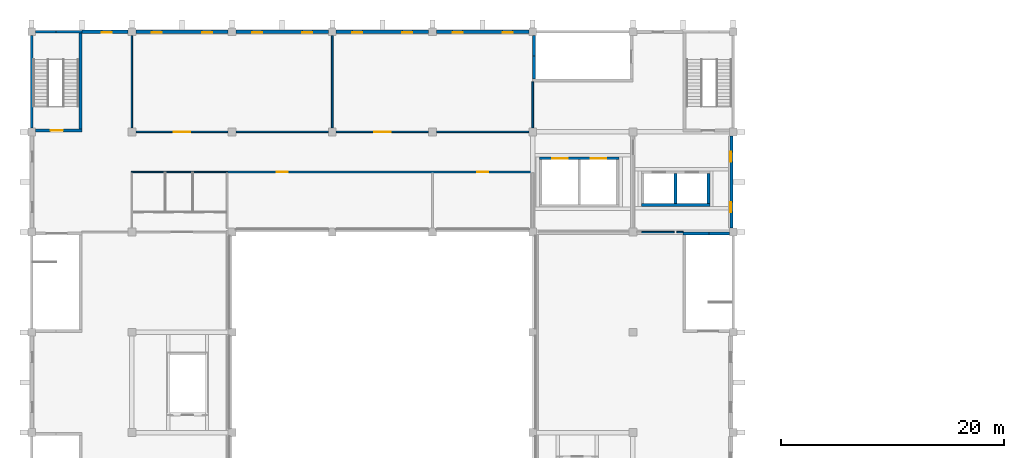
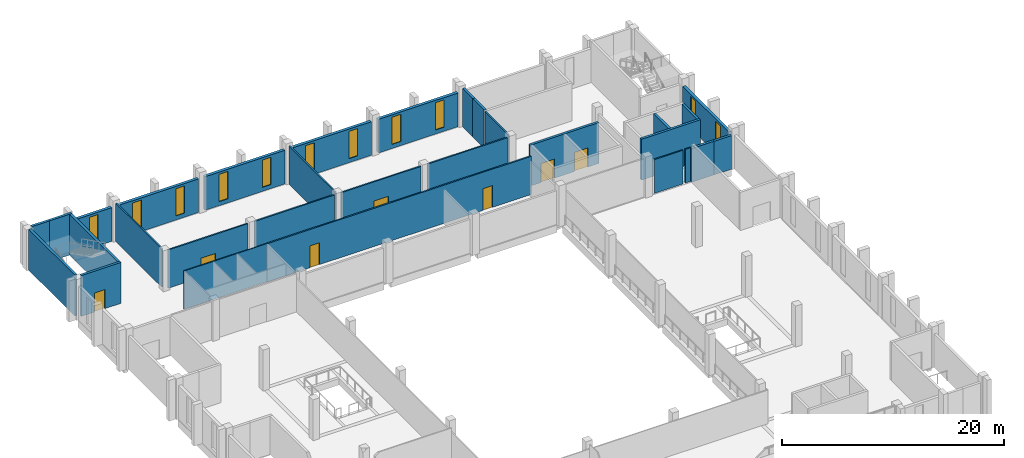
# One storey, part 26 of 40: 30 walls, 11 windows, 7 doors, 18 openings.
"""IFC4 building model written with IfcOpenShell, lengths in metres."""

from ifc_helpers import new_model, si_unit, direction, frame, frame_2d, origin, place, context, subcontext, project, spatial, rectangle, extrude, material, layer, layer_set, type_object, element, fill, save


model = new_model("IFC4")

# Units and contexts
model_context = context("Model", 3, precision=1e-05, world=origin(), true_north=direction((0.0, 1.0)))
body_context = subcontext(model_context, "Body", "Model", "MODEL_VIEW")
ifc_project = project(units=[si_unit("LENGTHUNIT", "METRE"), si_unit("AREAUNIT", "SQUARE_METRE"), si_unit("VOLUMEUNIT", "CUBIC_METRE"), si_unit("PLANEANGLEUNIT", "RADIAN"), si_unit("MASSUNIT", "GRAM", prefix="KILO")], contexts=[model_context])

# Site, building, storey
site_placement = place(None, origin())
site = spatial("IfcSite", under=ifc_project, at=site_placement, CompositionType="ELEMENT")
building_placement = place(site_placement, origin())
building = spatial("IfcBuilding", under=site, at=building_placement, Name="Guidao Yard Department Store", CompositionType="ELEMENT")
storey_placement = place(building_placement, frame((0.0, 0.0, 24.0)))
storey = spatial("IfcBuildingStorey", under=building, at=storey_placement, Name="L05", CompositionType="ELEMENT", Elevation=24.0)

# Wall, opening, window
ifc_material_1 = material(Name="Concrete C35", Category="concrete")
ifc_layer_1 = layer(ifc_material_1, 0.300048828125)
ifc_layer_set_1 = layer_set([ifc_layer_1], Name="Hall facade wall 300 C35")
wall_type_1 = type_object("IfcWallType", Name="Hall facade wall 300 C35", PredefinedType="SOLIDWALL", material=ifc_layer_set_1)
wall_1_placement = place(storey_placement, frame((4.5, 108.0, 0.0), z_axis=(0.0, 0.0, 1.0), x_axis=(1.0, 0.0, 0.0)))
wall_1 = element("IfcWall", 1, at=wall_1_placement, inside=storey, type_object=wall_type_1, Name="Hall facade wall", PredefinedType="SOLIDWALL", context=body_context, shape_type="SweptSolid", body=[
    extrude(rectangle(XDim=4.14990234375, YDim=0.300048828125, at=frame_2d((2.074951171875, 0.0))), origin(), (0.0, 0.0, 1.0), 3.699951171875),
])
opening_1_placement = place(wall_1_placement, frame((1.800048828125, 0.0, 0.449951171875)))
opening_1 = element("IfcOpeningElement", 2, at=opening_1_placement, cuts=wall_1, Name="Opening WN-L05-E09", PredefinedType="OPENING", context=body_context, shape_type="SweptSolid", body=[
    extrude(rectangle(XDim=0.89990234375, YDim=3.0, at=frame_2d((0.449951171875, 1.5))), frame((0.0, 0.159912109375, 0.0), z_axis=(0.0, -1.0, 0.0), x_axis=(1.0, 0.0, 0.0)), (0.0, 0.0, 1.0), 0.320068359375),
])
ifc_material_2 = material(Name="Laminated glass in aluminium frame", Category="aluminium")
window_type = type_object("IfcWindowType", Name="Slot window SL1 900 x 3000 fixed", PartitioningType="SINGLE_PANEL", PredefinedType="WINDOW", material=ifc_material_2)
window_1_placement = place(opening_1_placement, origin())
window_1 = element("IfcWindow", 3, at=window_1_placement, inside=storey, type_object=window_type, Name="Slot window", OverallHeight=3.0, OverallWidth=0.89990234375, PartitioningType="SINGLE_PANEL", PredefinedType="WINDOW", context=body_context, shape_type="SweptSolid", body=[
    extrude(rectangle(XDim=0.89990234375, YDim=3.0, at=frame_2d((0.449951171875, 1.5))), frame((0.0, -0.030029296875, 0.0), z_axis=(0.0, -1.0, 0.0), x_axis=(1.0, 0.0, 0.0)), (0.0, 0.0, 1.0), 0.06005859375),
])
fill(opening_1, window_1)

# Wall, openings, windows
wall_2_placement = place(storey_placement, frame((9.35009765625, 108.0, 0.0), z_axis=(0.0, 0.0, 1.0), x_axis=(1.0, 0.0, 0.0)))
wall_2 = element("IfcWall", 4, at=wall_2_placement, inside=storey, type_object=wall_type_1, Name="Hall facade wall", PredefinedType="SOLIDWALL", context=body_context, shape_type="SweptSolid", body=[
    extrude(rectangle(XDim=8.2998046875, YDim=0.300048828125, at=frame_2d((4.14990234375, 0.0))), origin(), (0.0, 0.0, 1.0), 3.699951171875),
])
opening_2_placement = place(wall_2_placement, frame((1.449951171875, 0.0, 0.449951171875)))
opening_2 = element("IfcOpeningElement", 5, at=opening_2_placement, cuts=wall_2, Name="Opening WN-L05-E10", PredefinedType="OPENING", context=body_context, shape_type="SweptSolid", body=[
    extrude(rectangle(XDim=0.89990234375, YDim=3.0, at=frame_2d((0.449951171875, 1.5))), frame((0.0, 0.159912109375, 0.0), z_axis=(0.0, -1.0, 0.0), x_axis=(1.0, 0.0, 0.0)), (0.0, 0.0, 1.0), 0.320068359375),
])
opening_3_placement = place(wall_2_placement, frame((5.949951171875, 0.0, 0.449951171875)))
opening_3 = element("IfcOpeningElement", 6, at=opening_3_placement, cuts=wall_2, Name="Opening WN-L05-E11", PredefinedType="OPENING", context=body_context, shape_type="SweptSolid", body=[
    extrude(rectangle(XDim=0.89990234375, YDim=3.0, at=frame_2d((0.449951171875, 1.5))), frame((0.0, 0.159912109375, 0.0), z_axis=(0.0, -1.0, 0.0), x_axis=(1.0, 0.0, 0.0)), (0.0, 0.0, 1.0), 0.320068359375),
])
window_2_placement = place(opening_2_placement, origin())
window_2 = element("IfcWindow", 7, at=window_2_placement, inside=storey, type_object=window_type, Name="Slot window", OverallHeight=3.0, OverallWidth=0.89990234375, PartitioningType="SINGLE_PANEL", PredefinedType="WINDOW", context=body_context, shape_type="SweptSolid", body=[
    extrude(rectangle(XDim=0.89990234375, YDim=3.0, at=frame_2d((0.449951171875, 1.5))), frame((0.0, -0.030029296875, 0.0), z_axis=(0.0, -1.0, 0.0), x_axis=(1.0, 0.0, 0.0)), (0.0, 0.0, 1.0), 0.06005859375),
])
fill(opening_2, window_2)
window_3_placement = place(opening_3_placement, origin())
window_3 = element("IfcWindow", 8, at=window_3_placement, inside=storey, type_object=window_type, Name="Slot window", OverallHeight=3.0, OverallWidth=0.89990234375, PartitioningType="SINGLE_PANEL", PredefinedType="WINDOW", context=body_context, shape_type="SweptSolid", body=[
    extrude(rectangle(XDim=0.89990234375, YDim=3.0, at=frame_2d((0.449951171875, 1.5))), frame((0.0, -0.030029296875, 0.0), z_axis=(0.0, -1.0, 0.0), x_axis=(1.0, 0.0, 0.0)), (0.0, 0.0, 1.0), 0.06005859375),
])
fill(opening_3, window_3)

wall_3_placement = place(storey_placement, frame((18.35009765625, 108.0, 0.0), z_axis=(0.0, 0.0, 1.0), x_axis=(1.0, 0.0, 0.0)))
wall_3 = element("IfcWall", 9, at=wall_3_placement, inside=storey, type_object=wall_type_1, Name="Hall facade wall", PredefinedType="SOLIDWALL", context=body_context, shape_type="SweptSolid", body=[
    extrude(rectangle(XDim=8.2998046875, YDim=0.300048828125, at=frame_2d((4.14990234375, 0.0))), origin(), (0.0, 0.0, 1.0), 3.699951171875),
])
opening_4_placement = place(wall_3_placement, frame((1.449951171875, 0.0, 0.449951171875)))
opening_4 = element("IfcOpeningElement", 10, at=opening_4_placement, cuts=wall_3, Name="Opening WN-L05-E12", PredefinedType="OPENING", context=body_context, shape_type="SweptSolid", body=[
    extrude(rectangle(XDim=0.89990234375, YDim=3.0, at=frame_2d((0.449951171875, 1.5))), frame((0.0, 0.159912109375, 0.0), z_axis=(0.0, -1.0, 0.0), x_axis=(1.0, 0.0, 0.0)), (0.0, 0.0, 1.0), 0.320068359375),
])
opening_5_placement = place(wall_3_placement, frame((5.949951171875, 0.0, 0.449951171875)))
opening_5 = element("IfcOpeningElement", 11, at=opening_5_placement, cuts=wall_3, Name="Opening WN-L05-E13", PredefinedType="OPENING", context=body_context, shape_type="SweptSolid", body=[
    extrude(rectangle(XDim=0.89990234375, YDim=3.0, at=frame_2d((0.449951171875, 1.5))), frame((0.0, 0.159912109375, 0.0), z_axis=(0.0, -1.0, 0.0), x_axis=(1.0, 0.0, 0.0)), (0.0, 0.0, 1.0), 0.320068359375),
])
window_4_placement = place(opening_4_placement, origin())
window_4 = element("IfcWindow", 12, at=window_4_placement, inside=storey, type_object=window_type, Name="Slot window", OverallHeight=3.0, OverallWidth=0.89990234375, PartitioningType="SINGLE_PANEL", PredefinedType="WINDOW", context=body_context, shape_type="SweptSolid", body=[
    extrude(rectangle(XDim=0.89990234375, YDim=3.0, at=frame_2d((0.449951171875, 1.5))), frame((0.0, -0.030029296875, 0.0), z_axis=(0.0, -1.0, 0.0), x_axis=(1.0, 0.0, 0.0)), (0.0, 0.0, 1.0), 0.06005859375),
])
fill(opening_4, window_4)
window_5_placement = place(opening_5_placement, origin())
window_5 = element("IfcWindow", 13, at=window_5_placement, inside=storey, type_object=window_type, Name="Slot window", OverallHeight=3.0, OverallWidth=0.89990234375, PartitioningType="SINGLE_PANEL", PredefinedType="WINDOW", context=body_context, shape_type="SweptSolid", body=[
    extrude(rectangle(XDim=0.89990234375, YDim=3.0, at=frame_2d((0.449951171875, 1.5))), frame((0.0, -0.030029296875, 0.0), z_axis=(0.0, -1.0, 0.0), x_axis=(1.0, 0.0, 0.0)), (0.0, 0.0, 1.0), 0.06005859375),
])
fill(opening_5, window_5)

wall_4_placement = place(storey_placement, frame((27.35009765625, 108.0, 0.0), z_axis=(0.0, 0.0, 1.0), x_axis=(1.0, 0.0, 0.0)))
wall_4 = element("IfcWall", 14, at=wall_4_placement, inside=storey, type_object=wall_type_1, Name="Hall facade wall", PredefinedType="SOLIDWALL", context=body_context, shape_type="SweptSolid", body=[
    extrude(rectangle(XDim=8.2998046875, YDim=0.300048828125, at=frame_2d((4.14990234375, 0.0))), origin(), (0.0, 0.0, 1.0), 3.699951171875),
])
opening_6_placement = place(wall_4_placement, frame((1.449951171875, 0.0, 0.449951171875)))
opening_6 = element("IfcOpeningElement", 15, at=opening_6_placement, cuts=wall_4, Name="Opening WN-L05-E14", PredefinedType="OPENING", context=body_context, shape_type="SweptSolid", body=[
    extrude(rectangle(XDim=0.89990234375, YDim=3.0, at=frame_2d((0.449951171875, 1.5))), frame((0.0, 0.159912109375, 0.0), z_axis=(0.0, -1.0, 0.0), x_axis=(1.0, 0.0, 0.0)), (0.0, 0.0, 1.0), 0.320068359375),
])
opening_7_placement = place(wall_4_placement, frame((5.949951171875, 0.0, 0.449951171875)))
opening_7 = element("IfcOpeningElement", 16, at=opening_7_placement, cuts=wall_4, Name="Opening WN-L05-E15", PredefinedType="OPENING", context=body_context, shape_type="SweptSolid", body=[
    extrude(rectangle(XDim=0.89990234375, YDim=3.0, at=frame_2d((0.449951171875, 1.5))), frame((0.0, 0.159912109375, 0.0), z_axis=(0.0, -1.0, 0.0), x_axis=(1.0, 0.0, 0.0)), (0.0, 0.0, 1.0), 0.320068359375),
])
window_6_placement = place(opening_6_placement, origin())
window_6 = element("IfcWindow", 17, at=window_6_placement, inside=storey, type_object=window_type, Name="Slot window", OverallHeight=3.0, OverallWidth=0.89990234375, PartitioningType="SINGLE_PANEL", PredefinedType="WINDOW", context=body_context, shape_type="SweptSolid", body=[
    extrude(rectangle(XDim=0.89990234375, YDim=3.0, at=frame_2d((0.449951171875, 1.5))), frame((0.0, -0.030029296875, 0.0), z_axis=(0.0, -1.0, 0.0), x_axis=(1.0, 0.0, 0.0)), (0.0, 0.0, 1.0), 0.06005859375),
])
fill(opening_6, window_6)
window_7_placement = place(opening_7_placement, origin())
window_7 = element("IfcWindow", 18, at=window_7_placement, inside=storey, type_object=window_type, Name="Slot window", OverallHeight=3.0, OverallWidth=0.89990234375, PartitioningType="SINGLE_PANEL", PredefinedType="WINDOW", context=body_context, shape_type="SweptSolid", body=[
    extrude(rectangle(XDim=0.89990234375, YDim=3.0, at=frame_2d((0.449951171875, 1.5))), frame((0.0, -0.030029296875, 0.0), z_axis=(0.0, -1.0, 0.0), x_axis=(1.0, 0.0, 0.0)), (0.0, 0.0, 1.0), 0.06005859375),
])
fill(opening_7, window_7)

wall_5_placement = place(storey_placement, frame((36.35009765625, 108.0, 0.0), z_axis=(0.0, 0.0, 1.0), x_axis=(1.0, 0.0, 0.0)))
wall_5 = element("IfcWall", 19, at=wall_5_placement, inside=storey, type_object=wall_type_1, Name="Hall facade wall", PredefinedType="SOLIDWALL", context=body_context, shape_type="SweptSolid", body=[
    extrude(rectangle(XDim=8.2998046875, YDim=0.300048828125, at=frame_2d((4.14990234375, 0.0))), origin(), (0.0, 0.0, 1.0), 3.699951171875),
])
opening_8_placement = place(wall_5_placement, frame((1.449951171875, 0.0, 0.449951171875)))
opening_8 = element("IfcOpeningElement", 20, at=opening_8_placement, cuts=wall_5, Name="Opening WN-L05-E16", PredefinedType="OPENING", context=body_context, shape_type="SweptSolid", body=[
    extrude(rectangle(XDim=0.89990234375, YDim=3.0, at=frame_2d((0.449951171875, 1.5))), frame((0.0, 0.159912109375, 0.0), z_axis=(0.0, -1.0, 0.0), x_axis=(1.0, 0.0, 0.0)), (0.0, 0.0, 1.0), 0.320068359375),
])
opening_9_placement = place(wall_5_placement, frame((5.949951171875, 0.0, 0.449951171875)))
opening_9 = element("IfcOpeningElement", 21, at=opening_9_placement, cuts=wall_5, Name="Opening WN-L05-E17", PredefinedType="OPENING", context=body_context, shape_type="SweptSolid", body=[
    extrude(rectangle(XDim=0.89990234375, YDim=3.0, at=frame_2d((0.449951171875, 1.5))), frame((0.0, 0.159912109375, 0.0), z_axis=(0.0, -1.0, 0.0), x_axis=(1.0, 0.0, 0.0)), (0.0, 0.0, 1.0), 0.320068359375),
])
window_8_placement = place(opening_8_placement, origin())
window_8 = element("IfcWindow", 22, at=window_8_placement, inside=storey, type_object=window_type, Name="Slot window", OverallHeight=3.0, OverallWidth=0.89990234375, PartitioningType="SINGLE_PANEL", PredefinedType="WINDOW", context=body_context, shape_type="SweptSolid", body=[
    extrude(rectangle(XDim=0.89990234375, YDim=3.0, at=frame_2d((0.449951171875, 1.5))), frame((0.0, -0.030029296875, 0.0), z_axis=(0.0, -1.0, 0.0), x_axis=(1.0, 0.0, 0.0)), (0.0, 0.0, 1.0), 0.06005859375),
])
fill(opening_8, window_8)
window_9_placement = place(opening_9_placement, origin())
window_9 = element("IfcWindow", 23, at=window_9_placement, inside=storey, type_object=window_type, Name="Slot window", OverallHeight=3.0, OverallWidth=0.89990234375, PartitioningType="SINGLE_PANEL", PredefinedType="WINDOW", context=body_context, shape_type="SweptSolid", body=[
    extrude(rectangle(XDim=0.89990234375, YDim=3.0, at=frame_2d((0.449951171875, 1.5))), frame((0.0, -0.030029296875, 0.0), z_axis=(0.0, -1.0, 0.0), x_axis=(1.0, 0.0, 0.0)), (0.0, 0.0, 1.0), 0.06005859375),
])
fill(opening_9, window_9)

wall_6_placement = place(storey_placement, frame((62.85009765625, 98.64990234375, 0.0), z_axis=(0.0, 0.0, 1.0), x_axis=(0.0, -1.0, 0.0)))
wall_6 = element("IfcWall", 24, at=wall_6_placement, inside=storey, type_object=wall_type_1, Name="Hall facade wall", PredefinedType="SOLIDWALL", context=body_context, shape_type="SweptSolid", body=[
    extrude(rectangle(XDim=8.2998046875, YDim=0.300048828125, at=frame_2d((4.14990234375, 0.0))), origin(), (0.0, 0.0, 1.0), 3.699951171875),
])
opening_10_placement = place(wall_6_placement, frame((5.949951171875, 0.0, 0.449951171875)))
opening_10 = element("IfcOpeningElement", 25, at=opening_10_placement, cuts=wall_6, Name="Opening WN-L05-E25", PredefinedType="OPENING", context=body_context, shape_type="SweptSolid", body=[
    extrude(rectangle(XDim=0.89990234375, YDim=3.0, at=frame_2d((0.449951171875, 1.5))), frame((0.0, 0.159912109375, 0.0), z_axis=(0.0, -1.0, 0.0), x_axis=(1.0, 0.0, 0.0)), (0.0, 0.0, 1.0), 0.320068359375),
])
opening_11_placement = place(wall_6_placement, frame((1.449951171875, 0.0, 0.449951171875)))
opening_11 = element("IfcOpeningElement", 26, at=opening_11_placement, cuts=wall_6, Name="Opening WN-L05-E26", PredefinedType="OPENING", context=body_context, shape_type="SweptSolid", body=[
    extrude(rectangle(XDim=0.89990234375, YDim=3.0, at=frame_2d((0.449951171875, 1.5))), frame((0.0, 0.159912109375, 0.0), z_axis=(0.0, -1.0, 0.0), x_axis=(1.0, 0.0, 0.0)), (0.0, 0.0, 1.0), 0.320068359375),
])
window_10_placement = place(opening_10_placement, origin())
window_10 = element("IfcWindow", 27, at=window_10_placement, inside=storey, type_object=window_type, Name="Slot window", OverallHeight=3.0, OverallWidth=0.89990234375, PartitioningType="SINGLE_PANEL", PredefinedType="WINDOW", context=body_context, shape_type="SweptSolid", body=[
    extrude(rectangle(XDim=0.89990234375, YDim=3.0, at=frame_2d((0.449951171875, 1.5))), frame((0.0, -0.030029296875, 0.0), z_axis=(0.0, -1.0, 0.0), x_axis=(1.0, 0.0, 0.0)), (0.0, 0.0, 1.0), 0.06005859375),
])
fill(opening_10, window_10)
window_11_placement = place(opening_11_placement, origin())
window_11 = element("IfcWindow", 28, at=window_11_placement, inside=storey, type_object=window_type, Name="Slot window", OverallHeight=3.0, OverallWidth=0.89990234375, PartitioningType="SINGLE_PANEL", PredefinedType="WINDOW", context=body_context, shape_type="SweptSolid", body=[
    extrude(rectangle(XDim=0.89990234375, YDim=3.0, at=frame_2d((0.449951171875, 1.5))), frame((0.0, -0.030029296875, 0.0), z_axis=(0.0, -1.0, 0.0), x_axis=(1.0, 0.0, 0.0)), (0.0, 0.0, 1.0), 0.06005859375),
])
fill(opening_11, window_11)

# Walls
ifc_material_3 = material(Name="Gypsum board on Steel Q235 studs", Category="steel")
ifc_layer_2 = layer(ifc_material_3, 0.10009765625)
ifc_layer_set_2 = layer_set([ifc_layer_2], Name="Partition P1 100 mm gypsum board EI 30")
wall_type_2 = type_object("IfcWallType", Name="Partition P1 100 mm gypsum board EI 30", PredefinedType="PARTITIONING", material=ifc_layer_set_2)
wall_7_placement = place(storey_placement, frame((8.949951171875, 95.39990234375, 0.0), z_axis=(0.0, 0.0, 1.0), x_axis=(1.0, 0.0, 0.0)))
element("IfcWall", 29, at=wall_7_placement, inside=storey, type_object=wall_type_2, Name="Wall W-HL05-030", PredefinedType="PARTITIONING", context=body_context, shape_type="SweptSolid", body=[
    extrude(rectangle(XDim=8.60009765625, YDim=0.10009765625, at=frame_2d((4.300048828125, 0.0))), origin(), (0.0, 0.0, 1.0), 4.199951171875),
])
ifc_material_4 = material(Name="Concrete block MU10", Category="concrete")
ifc_layer_3 = layer(ifc_material_4, 0.14990234375)
ifc_layer_set_3 = layer_set([ifc_layer_3], Name="Wall P2 150 mm blockwork EI 60")
wall_type_3 = type_object("IfcWallType", Name="Wall P2 150 mm blockwork EI 60", PredefinedType="PARTITIONING", material=ifc_layer_set_3)
wall_8_placement = place(storey_placement, frame((54.75, 90.0, 0.0), z_axis=(0.0, 0.0, 1.0), x_axis=(1.0, 0.0, 0.0)))
element("IfcWall", 30, at=wall_8_placement, inside=storey, type_object=wall_type_3, Name="Wall W-HL05-016", PredefinedType="PARTITIONING", context=body_context, shape_type="SweptSolid", body=[
    extrude(rectangle(XDim=2.949951171875, YDim=0.14990234375, at=frame_2d((1.47509765625, 0.0))), origin(), (0.0, 0.0, 1.0), 3.699951171875),
])
wall_9_placement = place(storey_placement, frame((57.949951171875, 90.0, 0.0), z_axis=(0.0, 0.0, 1.0), x_axis=(1.0, 0.0, 0.0)))
element("IfcWall", 31, at=wall_9_placement, inside=storey, type_object=wall_type_3, Name="Wall W-HL05-017", PredefinedType="PARTITIONING", context=body_context, shape_type="SweptSolid", body=[
    extrude(rectangle(XDim=0.550048828125, YDim=0.14990234375, at=frame_2d((0.27490234375, 0.0))), origin(), (0.0, 0.0, 1.0), 3.699951171875),
])

# Wall, openings, doors
wall_10_placement = place(storey_placement, frame((17.550048828125, 95.39990234375, 0.0), z_axis=(0.0, 0.0, 1.0), x_axis=(1.0, 0.0, 0.0)))
wall_10 = element("IfcWall", 32, at=wall_10_placement, inside=storey, type_object=wall_type_3, Name="Wall W-HL05-029", PredefinedType="PARTITIONING", context=body_context, shape_type="SweptSolid", body=[
    extrude(rectangle(XDim=27.52490234375, YDim=0.14990234375, at=frame_2d((13.762451171875, 0.0))), origin(), (0.0, 0.0, 1.0), 4.199951171875),
])
opening_12_placement = place(wall_10_placement, frame((5.449951171875, 0.0, 0.0), z_axis=(0.0, 0.0, 1.0), x_axis=(-1.0, 0.0, 0.0)))
opening_12 = element("IfcOpeningElement", 33, at=opening_12_placement, cuts=wall_10, Name="Opening HL05-011", PredefinedType="OPENING", context=body_context, shape_type="SweptSolid", body=[
    extrude(rectangle(XDim=1.0, YDim=2.39990234375, at=frame_2d((0.5, 1.199951171875))), frame((0.0, 0.0849609375, 0.0), z_axis=(0.0, -1.0, 0.0), x_axis=(1.0, 0.0, 0.0)), (0.0, 0.0, 1.0), 0.169921875),
])
opening_13_placement = place(wall_10_placement, frame((23.449951171875, 0.0, 0.0), z_axis=(0.0, 0.0, 1.0), x_axis=(-1.0, 0.0, 0.0)))
opening_13 = element("IfcOpeningElement", 34, at=opening_13_placement, cuts=wall_10, Name="Opening HL05-012", PredefinedType="OPENING", context=body_context, shape_type="SweptSolid", body=[
    extrude(rectangle(XDim=1.0, YDim=2.39990234375, at=frame_2d((0.5, 1.199951171875))), frame((0.0, 0.0849609375, 0.0), z_axis=(0.0, -1.0, 0.0), x_axis=(1.0, 0.0, 0.0)), (0.0, 0.0, 1.0), 0.169921875),
])
ifc_material_5 = material(Name="Steel Q235", Category="steel")
door_type_1 = type_object("IfcDoorType", Name="Door FD15 staff 1000 x 2400 FD60", OperationType="SINGLE_SWING_LEFT", PredefinedType="DOOR", material=ifc_material_5)
door_1_placement = place(opening_12_placement, origin())
door_1 = element("IfcDoor", 35, at=door_1_placement, inside=storey, type_object=door_type_1, Name="Door HL05-011", OperationType="SINGLE_SWING_RIGHT", OverallHeight=2.39990234375, OverallWidth=1.0, PredefinedType="DOOR", context=body_context, shape_type="SweptSolid", body=[
    extrude(rectangle(XDim=1.0, YDim=2.39990234375, at=frame_2d((0.5, 1.199951171875))), frame((0.0, 0.02490234375, 0.0), z_axis=(0.0, -1.0, 0.0), x_axis=(1.0, 0.0, 0.0)), (0.0, 0.0, 1.0), 0.050048828125),
])
fill(opening_12, door_1)
door_2_placement = place(opening_13_placement, origin())
door_2 = element("IfcDoor", 36, at=door_2_placement, inside=storey, type_object=door_type_1, Name="Door HL05-012", OperationType="SINGLE_SWING_LEFT", OverallHeight=2.39990234375, OverallWidth=1.0, PredefinedType="DOOR", context=body_context, shape_type="SweptSolid", body=[
    extrude(rectangle(XDim=1.0, YDim=2.39990234375, at=frame_2d((0.5, 1.199951171875))), frame((0.0, 0.02490234375, 0.0), z_axis=(0.0, -1.0, 0.0), x_axis=(1.0, 0.0, 0.0)), (0.0, 0.0, 1.0), 0.050048828125),
])
fill(opening_13, door_2)

# Wall, opening, door
wall_11_placement = place(storey_placement, frame((9.35009765625, 99.0, 0.0), z_axis=(0.0, 0.0, 1.0), x_axis=(1.0, 0.0, 0.0)))
wall_11 = element("IfcWall", 37, at=wall_11_placement, inside=storey, type_object=wall_type_3, Name="Wall W-HL05-031", PredefinedType="PARTITIONING", context=body_context, shape_type="SweptSolid", body=[
    extrude(rectangle(XDim=8.2998046875, YDim=0.14990234375, at=frame_2d((4.14990234375, 0.0))), origin(), (0.0, 0.0, 1.0), 4.199951171875),
])
opening_14_placement = place(wall_11_placement, frame((3.39990234375, 0.0, 0.0)))
opening_14 = element("IfcOpeningElement", 38, at=opening_14_placement, cuts=wall_11, Name="Opening HL05-014", PredefinedType="OPENING", context=body_context, shape_type="SweptSolid", body=[
    extrude(rectangle(XDim=1.5, YDim=2.10009765625, at=frame_2d((0.75, 1.050048828125))), frame((0.0, 0.0849609375, 0.0), z_axis=(0.0, -1.0, 0.0), x_axis=(1.0, 0.0, 0.0)), (0.0, 0.0, 1.0), 0.169921875),
])
ifc_material_6 = material(Name="Steel Q235", Category="steel")
door_type_2 = type_object("IfcDoorType", Name="Door FD11 trolley double 1500 x 2100 FD60", OperationType="DOUBLE_DOOR_SINGLE_SWING", PredefinedType="DOOR", material=ifc_material_6)
door_3_placement = place(opening_14_placement, origin())
door_3 = element("IfcDoor", 39, at=door_3_placement, inside=storey, type_object=door_type_2, Name="Door HL05-014", OperationType="DOUBLE_DOOR_SINGLE_SWING", OverallHeight=2.10009765625, OverallWidth=1.5, PredefinedType="DOOR", context=body_context, shape_type="SweptSolid", body=[
    extrude(rectangle(XDim=1.5, YDim=2.10009765625, at=frame_2d((0.75, 1.050048828125))), frame((0.0, 0.02490234375, 0.0), z_axis=(0.0, -1.0, 0.0), x_axis=(1.0, 0.0, 0.0)), (0.0, 0.0, 1.0), 0.050048828125),
])
fill(opening_14, door_3)

# Wall
wall_12_placement = place(storey_placement, frame((18.35009765625, 99.0, 0.0), z_axis=(0.0, 0.0, 1.0), x_axis=(1.0, 0.0, 0.0)))
element("IfcWall", 40, at=wall_12_placement, inside=storey, type_object=wall_type_3, Name="Wall W-HL05-032", PredefinedType="PARTITIONING", context=body_context, shape_type="SweptSolid", body=[
    extrude(rectangle(XDim=8.2998046875, YDim=0.14990234375, at=frame_2d((4.14990234375, 0.0))), origin(), (0.0, 0.0, 1.0), 4.199951171875),
])

# Wall, opening, door
wall_13_placement = place(storey_placement, frame((27.35009765625, 99.0, 0.0), z_axis=(0.0, 0.0, 1.0), x_axis=(1.0, 0.0, 0.0)))
wall_13 = element("IfcWall", 41, at=wall_13_placement, inside=storey, type_object=wall_type_3, Name="Wall W-HL05-033", PredefinedType="PARTITIONING", context=body_context, shape_type="SweptSolid", body=[
    extrude(rectangle(XDim=8.2998046875, YDim=0.14990234375, at=frame_2d((4.14990234375, 0.0))), origin(), (0.0, 0.0, 1.0), 4.199951171875),
])
opening_15_placement = place(wall_13_placement, frame((3.39990234375, 0.0, 0.0)))
opening_15 = element("IfcOpeningElement", 42, at=opening_15_placement, cuts=wall_13, Name="Opening HL05-015", PredefinedType="OPENING", context=body_context, shape_type="SweptSolid", body=[
    extrude(rectangle(XDim=1.5, YDim=2.10009765625, at=frame_2d((0.75, 1.050048828125))), frame((0.0, 0.0849609375, 0.0), z_axis=(0.0, -1.0, 0.0), x_axis=(1.0, 0.0, 0.0)), (0.0, 0.0, 1.0), 0.169921875),
])
door_4_placement = place(opening_15_placement, origin())
door_4 = element("IfcDoor", 43, at=door_4_placement, inside=storey, type_object=door_type_2, Name="Door HL05-015", OperationType="DOUBLE_DOOR_SINGLE_SWING", OverallHeight=2.10009765625, OverallWidth=1.5, PredefinedType="DOOR", context=body_context, shape_type="SweptSolid", body=[
    extrude(rectangle(XDim=1.5, YDim=2.10009765625, at=frame_2d((0.75, 1.050048828125))), frame((0.0, 0.02490234375, 0.0), z_axis=(0.0, -1.0, 0.0), x_axis=(1.0, 0.0, 0.0)), (0.0, 0.0, 1.0), 0.050048828125),
])
fill(opening_15, door_4)

# Walls
for number, where, z_axis, x_axis, name in (
    (44, (36.35009765625, 99.0, 0.0), (0.0, 0.0, 1.0), (1.0, 0.0, 0.0), "Wall W-HL05-034"),
    (45, (9.0, 99.35009765625, 0.0), (0.0, 0.0, 1.0), (0.0, 1.0, 0.0), "Wall W-HL05-035"),
    (46, (27.0, 99.35009765625, 0.0), (0.0, 0.0, 1.0), (0.0, 1.0, 0.0), "Wall W-HL05-036"),
):
    element("IfcWall", number, at=place(storey_placement, frame(where, z_axis=z_axis, x_axis=x_axis)), inside=storey, type_object=wall_type_3, Name=name, PredefinedType="PARTITIONING", context=body_context, shape_type="SweptSolid", body=[
        extrude(rectangle(XDim=8.2998046875, YDim=0.14990234375, at=frame_2d((4.14990234375, 0.0))), origin(), (0.0, 0.0, 1.0), 4.199951171875),
    ])
wall_14_placement = place(storey_placement, frame((45.0, 99.35009765625, 0.0), z_axis=(0.0, 0.0, 1.0), x_axis=(0.0, 1.0, 0.0)))
element("IfcWall", 47, at=wall_14_placement, inside=storey, type_object=wall_type_3, Name="Wall W-HL05-037", PredefinedType="PARTITIONING", context=body_context, shape_type="SweptSolid", body=[
    extrude(rectangle(XDim=4.14990234375, YDim=0.14990234375, at=frame_2d((2.074951171875, 0.0))), origin(), (0.0, 0.0, 1.0), 4.199951171875),
])
ifc_material_7 = material(Name="Concrete C40", Category="concrete")
ifc_layer_4 = layer(ifc_material_7, 0.25)
ifc_layer_set_4 = layer_set([ifc_layer_4], Name="Wall RC 250 C40 stair and shaft")
wall_type_4 = type_object("IfcWallType", Name="Wall RC 250 C40 stair and shaft", PredefinedType="SHEAR", material=ifc_layer_set_4)
wall_15_placement = place(storey_placement, frame((58.5, 89.875, 0.0), z_axis=(0.0, 0.0, 1.0), x_axis=(1.0, 0.0, 0.0)))
element("IfcWall", 48, at=wall_15_placement, inside=storey, type_object=wall_type_4, Name="Stair wall SA4", PredefinedType="SHEAR", context=body_context, shape_type="SweptSolid", body=[
    extrude(rectangle(XDim=2.31201171875, YDim=0.25, at=frame_2d((1.156005859375, 0.0))), origin(), (0.0, 0.0, 1.0), 3.699951171875),
])
wall_16_placement = place(storey_placement, frame((60.81201171875, 89.875, 0.0), z_axis=(0.0, 0.0, 1.0), x_axis=(1.0, 0.0, 0.0)))
element("IfcWall", 49, at=wall_16_placement, inside=storey, type_object=wall_type_4, Name="Stair wall SA4", PredefinedType="SHEAR", context=body_context, shape_type="SweptSolid", body=[
    extrude(rectangle(XDim=1.837890625, YDim=0.25, at=frame_2d((0.9189453125, 0.0))), origin(), (0.0, 0.0, 1.0), 3.699951171875),
])

# Wall, opening, door
wall_17_placement = place(storey_placement, frame((0.35009765625, 99.125, 0.0), z_axis=(0.0, 0.0, 1.0), x_axis=(1.0, 0.0, 0.0)))
wall_17 = element("IfcWall", 50, at=wall_17_placement, inside=storey, type_object=wall_type_4, Name="Stair wall SA5", PredefinedType="SHEAR", context=body_context, shape_type="SweptSolid", body=[
    extrude(rectangle(XDim=4.14990234375, YDim=0.25, at=frame_2d((2.074951171875, 0.0))), origin(), (0.0, 0.0, 1.0), 4.5),
])
opening_16_placement = place(wall_17_placement, frame((1.35009765625, 0.0, 0.0)))
opening_16 = element("IfcOpeningElement", 51, at=opening_16_placement, cuts=wall_17, Name="Opening L05-804", PredefinedType="OPENING", context=body_context, shape_type="SweptSolid", body=[
    extrude(rectangle(XDim=1.10009765625, YDim=2.10009765625, at=frame_2d((0.550048828125, 1.050048828125))), frame((0.0, 0.135009765625, 0.0), z_axis=(0.0, -1.0, 0.0), x_axis=(1.0, 0.0, 0.0)), (0.0, 0.0, 1.0), 0.27001953125),
])
ifc_material_8 = material(Name="Steel Q235", Category="steel")
door_type_3 = type_object("IfcDoorType", Name="Door fire-resisting 1100 x 2100 FD60", OperationType="SINGLE_SWING_LEFT", PredefinedType="DOOR", material=ifc_material_8)
door_5_placement = place(opening_16_placement, origin())
door_5 = element("IfcDoor", 52, at=door_5_placement, inside=storey, type_object=door_type_3, Name="Stair A5 door L05", OperationType="SINGLE_SWING_LEFT", OverallHeight=2.10009765625, OverallWidth=1.10009765625, PredefinedType="DOOR", context=body_context, shape_type="SweptSolid", body=[
    extrude(rectangle(XDim=1.10009765625, YDim=2.10009765625, at=frame_2d((0.550048828125, 1.050048828125))), frame((0.0, 0.02490234375, 0.0), z_axis=(0.0, -1.0, 0.0), x_axis=(1.0, 0.0, 0.0)), (0.0, 0.0, 1.0), 0.050048828125),
])
fill(opening_16, door_5)

# Walls
wall_18_placement = place(storey_placement, frame((0.35009765625, 108.0, 0.0), z_axis=(0.0, 0.0, 1.0), x_axis=(1.0, 0.0, 0.0)))
element("IfcWall", 53, at=wall_18_placement, inside=storey, type_object=wall_type_4, Name="Stair wall SA5", PredefinedType="SHEAR", context=body_context, shape_type="SweptSolid", body=[
    extrude(rectangle(XDim=1.837890625, YDim=0.25, at=frame_2d((0.9189453125, 0.0))), origin(), (0.0, 0.0, 1.0), 4.5),
])
wall_19_placement = place(storey_placement, frame((2.18798828125, 108.0, 0.0), z_axis=(0.0, 0.0, 1.0), x_axis=(1.0, 0.0, 0.0)))
element("IfcWall", 54, at=wall_19_placement, inside=storey, type_object=wall_type_4, Name="Stair wall SA5", PredefinedType="SHEAR", context=body_context, shape_type="SweptSolid", body=[
    extrude(rectangle(XDim=2.31201171875, YDim=0.25, at=frame_2d((1.156005859375, 0.0))), origin(), (0.0, 0.0, 1.0), 4.5),
])
wall_20_placement = place(storey_placement, frame((0.0, 99.35009765625, 0.0), z_axis=(0.0, 0.0, 1.0), x_axis=(0.0, 1.0, 0.0)))
element("IfcWall", 55, at=wall_20_placement, inside=storey, type_object=wall_type_4, Name="Stair wall SA5", PredefinedType="SHEAR", context=body_context, shape_type="SweptSolid", body=[
    extrude(rectangle(XDim=8.2998046875, YDim=0.25, at=frame_2d((4.14990234375, 0.0))), origin(), (0.0, 0.0, 1.0), 4.5),
])
wall_21_placement = place(storey_placement, frame((4.375, 99.25, 0.0), z_axis=(0.0, 0.0, 1.0), x_axis=(0.0, 1.0, 0.0)))
element("IfcWall", 56, at=wall_21_placement, inside=storey, type_object=wall_type_4, Name="Stair wall SA5", PredefinedType="SHEAR", context=body_context, shape_type="SweptSolid", body=[
    extrude(rectangle(XDim=8.625, YDim=0.25, at=frame_2d((4.3125, 0.0))), origin(), (0.0, 0.0, 1.0), 4.5),
])
wall_22_placement = place(storey_placement, frame((45.125, 103.75, 0.0), z_axis=(0.0, 0.0, 1.0), x_axis=(0.0, 1.0, 0.0)))
element("IfcWall", 57, at=wall_22_placement, inside=storey, type_object=wall_type_4, Name="Stair wall SA7", PredefinedType="SHEAR", context=body_context, shape_type="SweptSolid", body=[
    extrude(rectangle(XDim=2.06201171875, YDim=0.25, at=frame_2d((1.031005859375, 0.0))), origin(), (0.0, 0.0, 1.0), 4.199951171875),
])
wall_23_placement = place(storey_placement, frame((45.125, 105.81201171875, 0.0), z_axis=(0.0, 0.0, 1.0), x_axis=(0.0, 1.0, 0.0)))
element("IfcWall", 58, at=wall_23_placement, inside=storey, type_object=wall_type_4, Name="Stair wall SA7", PredefinedType="SHEAR", context=body_context, shape_type="SweptSolid", body=[
    extrude(rectangle(XDim=1.837890625, YDim=0.25, at=frame_2d((0.9189453125, 0.0))), origin(), (0.0, 0.0, 1.0), 4.199951171875),
])

# Wall, openings, doors
wall_24_placement = place(storey_placement, frame((45.60009765625, 96.625, 0.0), z_axis=(0.0, 0.0, 1.0), x_axis=(1.0, 0.0, 0.0)))
wall_24 = element("IfcWall", 59, at=wall_24_placement, inside=storey, type_object=wall_type_4, Name="Lift shaft wall HG1 to HG2", PredefinedType="SHEAR", context=body_context, shape_type="SweptSolid", body=[
    extrude(rectangle(XDim=7.14990234375, YDim=0.25, at=frame_2d((3.574951171875, 0.0))), origin(), (0.0, 0.0, 1.0), 4.5),
])
opening_17_placement = place(wall_24_placement, frame((1.14990234375, 0.0, 0.0)))
opening_17 = element("IfcOpeningElement", 60, at=opening_17_placement, cuts=wall_24, Name="Opening LD-HG1-L05", PredefinedType="OPENING", context=body_context, shape_type="SweptSolid", body=[
    extrude(rectangle(XDim=1.39990234375, YDim=2.10009765625, at=frame_2d((0.699951171875, 1.050048828125))), frame((0.0, 0.135009765625, 0.0), z_axis=(0.0, -1.0, 0.0), x_axis=(1.0, 0.0, 0.0)), (0.0, 0.0, 1.0), 0.27001953125),
])
opening_18_placement = place(wall_24_placement, frame((4.60009765625, 0.0, 0.0)))
opening_18 = element("IfcOpeningElement", 61, at=opening_18_placement, cuts=wall_24, Name="Opening LD-HG2-L05", PredefinedType="OPENING", context=body_context, shape_type="SweptSolid", body=[
    extrude(rectangle(XDim=1.39990234375, YDim=2.10009765625, at=frame_2d((0.699951171875, 1.050048828125))), frame((0.0, 0.135009765625, 0.0), z_axis=(0.0, -1.0, 0.0), x_axis=(1.0, 0.0, 0.0)), (0.0, 0.0, 1.0), 0.27001953125),
])
ifc_material_9 = material(Name="Stainless steel 06Cr19Ni10", Category="steel")
door_type_4 = type_object("IfcDoorType", Name="Lift landing door fire-resisting sliding 1400 x 2100", OperationType="DOUBLE_DOOR_SLIDING", PredefinedType="DOOR", material=ifc_material_9)
door_6_placement = place(opening_17_placement, origin())
door_6 = element("IfcDoor", 62, at=door_6_placement, inside=storey, type_object=door_type_4, Name="Lift landing door HG1 L05", OperationType="DOUBLE_DOOR_SLIDING", OverallHeight=2.10009765625, OverallWidth=1.39990234375, PredefinedType="DOOR", context=body_context, shape_type="SweptSolid", body=[
    extrude(rectangle(XDim=1.39990234375, YDim=2.10009765625, at=frame_2d((0.699951171875, 1.050048828125))), frame((0.0, 0.02490234375, 0.0), z_axis=(0.0, -1.0, 0.0), x_axis=(1.0, 0.0, 0.0)), (0.0, 0.0, 1.0), 0.050048828125),
])
fill(opening_17, door_6)
door_7_placement = place(opening_18_placement, origin())
door_7 = element("IfcDoor", 63, at=door_7_placement, inside=storey, type_object=door_type_4, Name="Lift landing door HG2 L05", OperationType="DOUBLE_DOOR_SLIDING", OverallHeight=2.10009765625, OverallWidth=1.39990234375, PredefinedType="DOOR", context=body_context, shape_type="SweptSolid", body=[
    extrude(rectangle(XDim=1.39990234375, YDim=2.10009765625, at=frame_2d((0.699951171875, 1.050048828125))), frame((0.0, 0.02490234375, 0.0), z_axis=(0.0, -1.0, 0.0), x_axis=(1.0, 0.0, 0.0)), (0.0, 0.0, 1.0), 0.050048828125),
])
fill(opening_18, door_7)

# Walls
wall_25_placement = place(storey_placement, frame((54.75, 92.425048828125, 0.0), z_axis=(0.0, 0.0, 1.0), x_axis=(1.0, 0.0, 0.0)))
element("IfcWall", 64, at=wall_25_placement, inside=storey, type_object=wall_type_4, Name="Lift shaft wall HF1 to HF2", PredefinedType="SHEAR", context=body_context, shape_type="SweptSolid", body=[
    extrude(rectangle(XDim=6.14990234375, YDim=0.25, at=frame_2d((3.074951171875, 0.0))), origin(), (0.0, 0.0, 1.0), 4.5),
])
for number, where, z_axis, x_axis, name in (
    (65, (57.824951171875, 92.550048828125, 0.0), (0.0, 0.0, 1.0), (0.0, 1.0, 0.0), "Lift shaft wall HF1 to HF2"),
    (66, (60.77490234375, 92.550048828125, 0.0), (0.0, 0.0, 1.0), (0.0, 1.0, 0.0), "Lift shaft wall HF1 to HF2"),
):
    element("IfcWall", number, at=place(storey_placement, frame(where, z_axis=z_axis, x_axis=x_axis)), inside=storey, type_object=wall_type_4, Name=name, PredefinedType="SHEAR", context=body_context, shape_type="SweptSolid", body=[
        extrude(rectangle(XDim=2.699951171875, YDim=0.25, at=frame_2d((1.35009765625, 0.0))), origin(), (0.0, 0.0, 1.0), 4.5),
    ])

save(model, "model.ifc")
